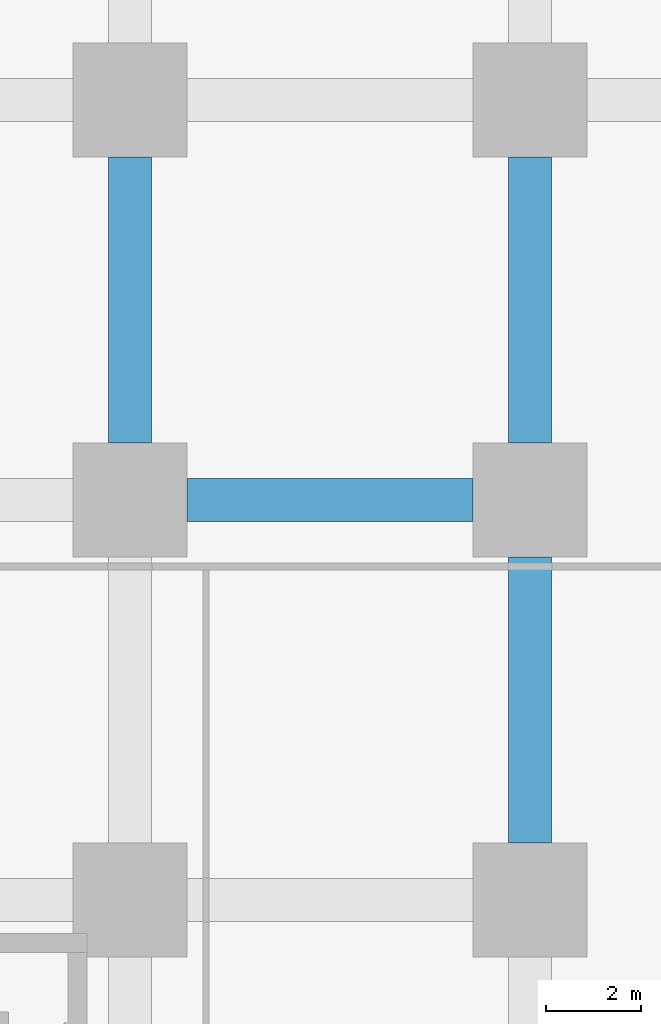
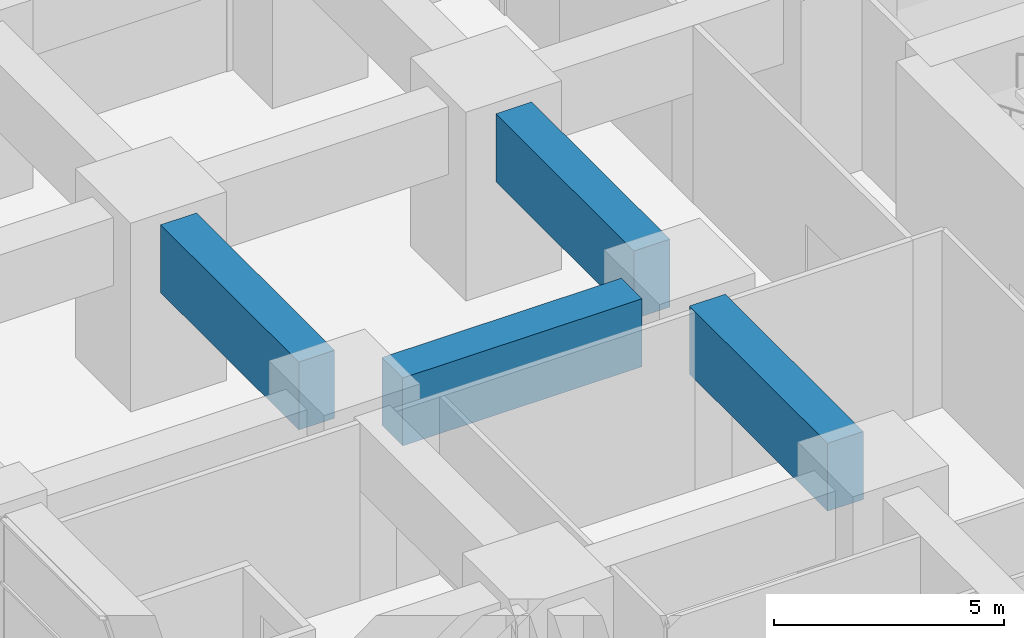
# One storey, part 20 of 49: 4 beams.
"""IFC4 building model written with IfcOpenShell, lengths in metres."""

from ifc_helpers import new_model, si_unit, direction, frame, origin, origin_2d, place, context, subcontext, project, spatial, rectangle, extrude, material, material_profile, profile_set, type_object, element, save


model = new_model("IFC4")

# Units and contexts
model_context = context("Model", 3, precision=1e-05, world=origin(), true_north=direction((0.0, 1.0)))
body_context = subcontext(model_context, "Body", "Model", "MODEL_VIEW")
ifc_project = project(units=[si_unit("LENGTHUNIT", "METRE"), si_unit("AREAUNIT", "SQUARE_METRE"), si_unit("VOLUMEUNIT", "CUBIC_METRE"), si_unit("PLANEANGLEUNIT", "RADIAN"), si_unit("MASSUNIT", "GRAM", prefix="KILO")], contexts=[model_context])

# Site, building, storey
site_placement = place(None, origin())
site = spatial("IfcSite", under=ifc_project, at=site_placement, CompositionType="ELEMENT")
building_placement = place(site_placement, origin())
building = spatial("IfcBuilding", under=site, at=building_placement, Name="Rekha Terrace Tower", CompositionType="ELEMENT")
storey_placement = place(building_placement, frame((0.0, 0.0, 5.39990234375)))
storey = spatial("IfcBuildingStorey", under=building, at=storey_placement, Name="L01", CompositionType="ELEMENT", Elevation=5.39990234375)

# Beams
ifc_material = material(Name="Concrete M60", Category="concrete")
ifc_material_profile = material_profile(ifc_material, rectangle(XDim=0.89990234375, YDim=1.800048828125, at=origin_2d()), Name="RC 900x1800")
ifc_profile_set = profile_set([ifc_material_profile], Name="Concrete M60")
beam_type = type_object("IfcBeamType", Name="G1 900x1800 podium floor beam", PredefinedType="BEAM", material=ifc_profile_set)
for number, where, z_axis, x_axis, name in (
    (1, (9.60009765625, 42.0, 3.800048828125), (1.0, 0.0, 0.0), (0.0, 1.0, 0.0), "Beam G1 2F-3F under L02"),
    (2, (8.39990234375, 43.199951171875, 3.800048828125), (0.0, 1.0, 0.0), (-1.0, 0.0, 0.0), "Beam G1 2F-2G under L02"),
    (3, (16.800048828125, 34.800048828125, 3.800048828125), (0.0, 1.0, 0.0), (-1.0, 0.0, 0.0), "Beam G1 3E-3F under L02"),
    (4, (16.800048828125, 43.199951171875, 3.800048828125), (0.0, 1.0, 0.0), (-1.0, 0.0, 0.0), "Beam G1 3F-3G under L02"),
):
    element("IfcBeam", number, at=place(storey_placement, frame(where, z_axis=z_axis, x_axis=x_axis)), inside=storey, type_object=beam_type, Name=name, PredefinedType="BEAM", context=body_context, shape_type="SweptSolid", body=[
        extrude(rectangle(XDim=0.89990234375, YDim=1.800048828125, at=origin_2d()), origin(), (0.0, 0.0, 1.0), 6.0),
    ])

save(model, "model.ifc")
